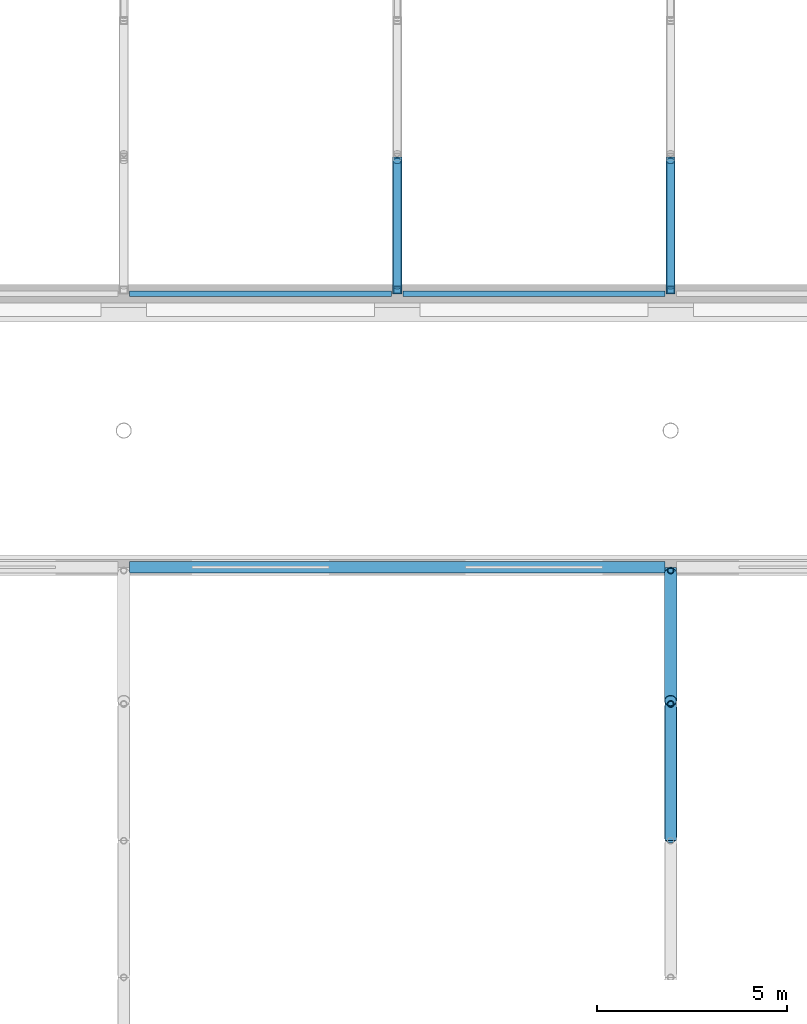
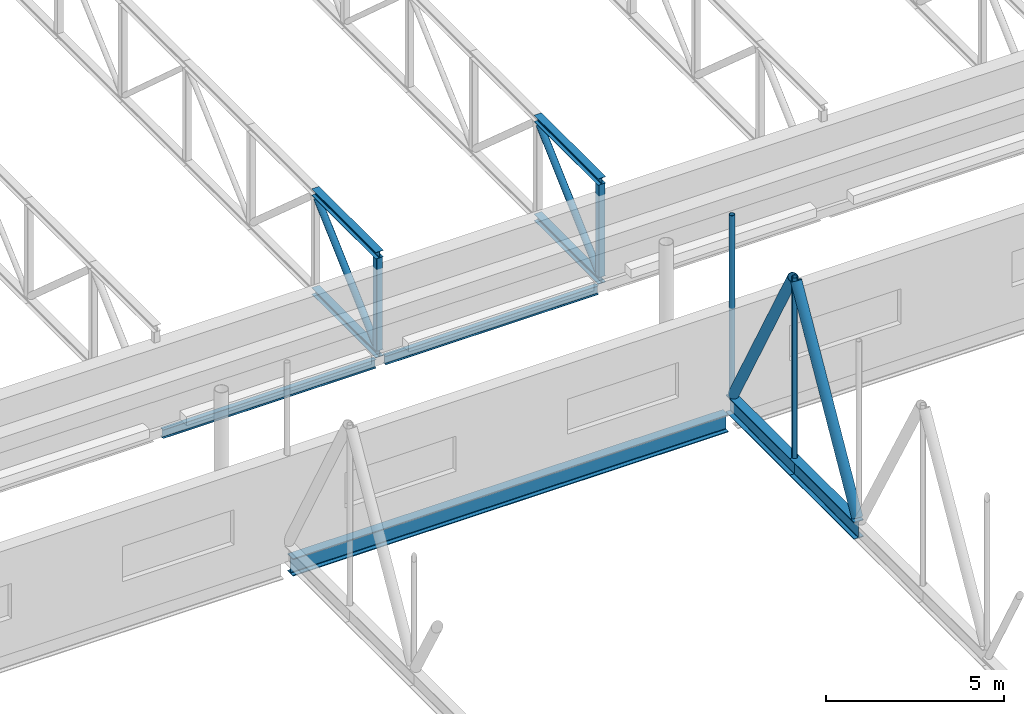
# One storey, part 71 of 142: 14 members, 3 beams.
"""IFC4 building model written with IfcOpenShell, lengths in metres."""

from ifc_helpers import new_model, si_unit, direction, frame, origin, origin_2d, place, context, subcontext, project, spatial, hollow_rectangle, hollow_circle, i_section, extrude, material, material_profile, profile_set, type_object, element, save


model = new_model("IFC4")

# Units and contexts
model_context = context("Model", 3, precision=1e-05, world=origin(), true_north=direction((0.0, 1.0)))
body_context = subcontext(model_context, "Body", "Model", "MODEL_VIEW")
ifc_project = project(units=[si_unit("LENGTHUNIT", "METRE"), si_unit("AREAUNIT", "SQUARE_METRE"), si_unit("VOLUMEUNIT", "CUBIC_METRE"), si_unit("PLANEANGLEUNIT", "RADIAN"), si_unit("MASSUNIT", "GRAM", prefix="KILO")], contexts=[model_context])

# Site, building, storey
site_placement = place(None, origin())
site = spatial("IfcSite", under=ifc_project, at=site_placement, CompositionType="ELEMENT")
building_placement = place(site_placement, origin())
building = spatial("IfcBuilding", under=site, at=building_placement, Name="Kupolbacken Congress Centre", CompositionType="ELEMENT")
storey_placement = place(building_placement, frame((0.0, 0.0, 14.39990234375)))
storey = spatial("IfcBuildingStorey", under=building, at=storey_placement, Name="L04", CompositionType="ELEMENT", Elevation=14.39990234375)

# Beams
ifc_material_1 = material(Name="Steel S355", Category="steel")
ifc_material_profile_1 = material_profile(ifc_material_1, i_section(OverallWidth=0.14990234375, OverallDepth=0.300048828125, WebThickness=0.007080078125, FlangeThickness=0.0107421875, FilletRadius=0.014892578125, at=origin_2d()), Name="IPE 300")
ifc_profile_set_1 = profile_set([ifc_material_profile_1], Name="Steel S355")
beam_type_1 = type_object("IfcBeamType", Name="B04 beam IPE 300", PredefinedType="BEAM", material=ifc_profile_set_1)
beam_1_placement = place(storey_placement, frame((165.75, 122.39990234375, -0.14990234375), z_axis=(1.0, 0.0, 0.0), x_axis=(0.0, 1.0, 0.0)))
element("IfcBeam", 1, at=beam_1_placement, inside=storey, type_object=beam_type_1, Name="Edge girder", PredefinedType="BEAM", context=body_context, shape_type="SweptSolid", body=[
    extrude(i_section(OverallWidth=0.14990234375, OverallDepth=0.300048828125, WebThickness=0.007080078125, FlangeThickness=0.0107421875, FilletRadius=0.014892578125, at=origin_2d()), origin(), (0.0, 0.0, 1.0), 6.89990234375),
])
beam_2_placement = place(storey_placement, frame((172.949951171875, 122.39990234375, -0.14990234375), z_axis=(1.0, 0.0, 0.0), x_axis=(0.0, 1.0, 0.0)))
element("IfcBeam", 2, at=beam_2_placement, inside=storey, type_object=beam_type_1, Name="Edge girder", PredefinedType="BEAM", context=body_context, shape_type="SweptSolid", body=[
    extrude(i_section(OverallWidth=0.14990234375, OverallDepth=0.300048828125, WebThickness=0.007080078125, FlangeThickness=0.0107421875, FilletRadius=0.014892578125, at=origin_2d()), origin(), (0.0, 0.0, 1.0), 6.900146484375),
])
ifc_material_2 = material(Name="Steel S355", Category="steel")
ifc_material_profile_2 = material_profile(ifc_material_2, i_section(OverallWidth=0.300048828125, OverallDepth=0.60009765625, WebThickness=0.015380859375, FlangeThickness=0.030029296875, FilletRadius=0.027099609375, at=origin_2d()), Name="HEB 600")
ifc_profile_set_2 = profile_set([ifc_material_profile_2], Name="Steel S355")
beam_type_2 = type_object("IfcBeamType", Name="B15 beam HEB 600", PredefinedType="BEAM", material=ifc_profile_set_2)
beam_3_placement = place(storey_placement, frame((165.75, 115.199951171875, -0.2998046875), z_axis=(1.0, 0.0, 0.0), x_axis=(0.0, 1.0, 0.0)))
element("IfcBeam", 3, at=beam_3_placement, inside=storey, type_object=beam_type_2, Name="Edge girder", PredefinedType="BEAM", context=body_context, shape_type="SweptSolid", body=[
    extrude(i_section(OverallWidth=0.300048828125, OverallDepth=0.60009765625, WebThickness=0.015380859375, FlangeThickness=0.030029296875, FilletRadius=0.027099609375, at=origin_2d()), origin(), (0.0, 0.0, 1.0), 14.10009765625),
])

# Members
ifc_material_3 = material(Name="Steel S355", Category="steel")
ifc_material_profile_3 = material_profile(ifc_material_3, i_section(OverallWidth=0.300048828125, OverallDepth=0.60009765625, WebThickness=0.015380859375, FlangeThickness=0.030029296875, FilletRadius=0.027099609375, at=origin_2d()), Name="HEB 600")
ifc_profile_set_3 = profile_set([ifc_material_profile_3], Name="Steel S355")
member_type_1 = type_object("IfcMemberType", Name="M02 transfer truss chord HEB 600", PredefinedType="CHORD", material=ifc_profile_set_3)
member_1_placement = place(storey_placement, frame((180.0, 108.0, 0.2900390625), z_axis=(0.0, 1.0, 0.0), x_axis=(-1.0, 0.0, 0.0)))
element("IfcMember", 4, at=member_1_placement, inside=storey, type_object=member_type_1, Name="HT/T7/BC19", PredefinedType="CHORD", context=body_context, shape_type="SweptSolid", body=[
    extrude(i_section(OverallWidth=0.300048828125, OverallDepth=0.60009765625, WebThickness=0.015380859375, FlangeThickness=0.030029296875, FilletRadius=0.027099609375, at=origin_2d()), origin(), (0.0, 0.0, 1.0), 3.60009765625),
])
member_2_placement = place(storey_placement, frame((180.0, 111.60009765625, 0.2900390625), z_axis=(0.0, 1.0, 0.0), x_axis=(-1.0, 0.0, 0.0)))
element("IfcMember", 5, at=member_2_placement, inside=storey, type_object=member_type_1, Name="HT/T7/BC20", PredefinedType="CHORD", context=body_context, shape_type="SweptSolid", body=[
    extrude(i_section(OverallWidth=0.300048828125, OverallDepth=0.60009765625, WebThickness=0.015380859375, FlangeThickness=0.030029296875, FilletRadius=0.027099609375, at=origin_2d()), origin(), (0.0, 0.0, 1.0), 3.599853515625),
])
ifc_material_4 = material(Name="Steel S355", Category="steel")
ifc_material_profile_4 = material_profile(ifc_material_4, hollow_circle(Radius=0.161865234375, WallThickness=0.012451171875, at=origin_2d()), Name="CHS 323.9 x 12.5")
ifc_profile_set_4 = profile_set([ifc_material_profile_4], Name="Steel S355")
member_type_2 = type_object("IfcMemberType", Name="M04 transfer truss web CHS 323.9 x 12.5", PredefinedType="BRACE", material=ifc_profile_set_4)
member_3_placement = place(storey_placement, frame((180.0, 108.084228515625, 0.658935546875), z_axis=(0.0, 0.494455978115, 0.869202672399), x_axis=(-1.0, 0.0, 0.0)))
element("IfcMember", 6, at=member_3_placement, inside=storey, type_object=member_type_2, Name="HT/T7/D19", PredefinedType="BRACE", context=body_context, shape_type="SweptSolid", body=[
    extrude(hollow_circle(Radius=0.161865234375, WallThickness=0.012451171875, at=origin_2d()), origin(), (0.0, 0.0, 1.0), 6.940185546875),
])
member_4_placement = place(storey_placement, frame((180.0, 111.68408203125, 6.69287109375), z_axis=(0.0, 0.485036131954, -0.874494111301), x_axis=(-1.0, 0.0, 0.0)))
element("IfcMember", 7, at=member_4_placement, inside=storey, type_object=member_type_2, Name="HT/T7/D20", PredefinedType="BRACE", context=body_context, shape_type="SweptSolid", body=[
    extrude(hollow_circle(Radius=0.161865234375, WallThickness=0.012451171875, at=origin_2d()), origin(), (0.0, 0.0, 1.0), 6.90185546875),
])
ifc_material_5 = material(Name="Steel S355", Category="steel")
ifc_material_profile_5 = material_profile(ifc_material_5, hollow_circle(Radius=0.109619140625, WallThickness=0.010009765625, at=origin_2d()), Name="CHS 219.1 x 10")
ifc_profile_set_5 = profile_set([ifc_material_profile_5], Name="Steel S355")
member_type_3 = type_object("IfcMemberType", Name="M05 transfer truss web CHS 219.1 x 10", PredefinedType="BRACE", material=ifc_profile_set_5)
for number, where, z_axis, x_axis, name in (
    (8, (172.800048828125, 122.60009765625, 0.289306640625), (0.0, 0.738640464451, 0.67409959522), (-1.0, 0.0, 0.0), "BT/B4/D01"),
    (9, (180.0, 122.60009765625, 0.289306640625), (0.0, 0.738640464451, 0.67409959522), (-1.0, 0.0, 0.0), "BT/B5/D01"),
):
    element("IfcMember", number, at=place(storey_placement, frame(where, z_axis=z_axis, x_axis=x_axis)), inside=storey, type_object=member_type_3, Name=name, PredefinedType="BRACE", context=body_context, shape_type="SweptSolid", body=[
        extrude(hollow_circle(Radius=0.109619140625, WallThickness=0.010009765625, at=origin_2d()), origin(), (0.0, 0.0, 1.0), 4.46728515625),
    ])
ifc_material_6 = material(Name="Steel S355", Category="steel")
ifc_material_profile_6 = material_profile(ifc_material_6, i_section(OverallWidth=0.239990234375, OverallDepth=0.22998046875, WebThickness=0.007568359375, FlangeThickness=0.011962890625, FilletRadius=0.02099609375, at=origin_2d()), Name="HEA 240")
ifc_profile_set_6 = profile_set([ifc_material_profile_6], Name="Steel S355")
member_type_4 = type_object("IfcMemberType", Name="M07 transfer truss chord HEA 240", PredefinedType="CHORD", material=ifc_profile_set_6)
for number, where, z_axis, x_axis, name in (
    (10, (172.800048828125, 122.39990234375, 0.10498046875), (0.0, 1.0, 0.0), (-1.0, 0.0, 0.0), "BT/B4/BC01"),
    (11, (172.800048828125, 122.39990234375, 3.485107421875), (0.0, 1.0, 0.0), (-1.0, 0.0, 0.0), "BT/B4/TC01"),
    (12, (180.0, 122.39990234375, 0.10498046875), (0.0, 1.0, 0.0), (-1.0, 0.0, 0.0), "BT/B5/BC01"),
    (13, (180.0, 122.39990234375, 3.485107421875), (0.0, 1.0, 0.0), (-1.0, 0.0, 0.0), "BT/B5/TC01"),
):
    element("IfcMember", number, at=place(storey_placement, frame(where, z_axis=z_axis, x_axis=x_axis)), inside=storey, type_object=member_type_4, Name=name, PredefinedType="CHORD", context=body_context, shape_type="SweptSolid", body=[
        extrude(i_section(OverallWidth=0.239990234375, OverallDepth=0.22998046875, WebThickness=0.007568359375, FlangeThickness=0.011962890625, FilletRadius=0.02099609375, at=origin_2d()), origin(), (0.0, 0.0, 1.0), 3.60009765625),
    ])
ifc_material_7 = material(Name="Steel S355", Category="steel")
ifc_material_profile_7 = material_profile(ifc_material_7, hollow_rectangle(XDim=0.199951171875, YDim=0.199951171875, WallThickness=0.010009765625, InnerFilletRadius=0.010009765625, OuterFilletRadius=0.014892578125, at=origin_2d()), Name="SHS 200 x 200 x 10")
ifc_profile_set_7 = profile_set([ifc_material_profile_7], Name="Steel S355")
member_type_5 = type_object("IfcMemberType", Name="M10 transfer truss post SHS 200 x 200 x 10", PredefinedType="STRUT", material=ifc_profile_set_7)
for number, where, z_axis, x_axis, name in (
    (14, (172.800048828125, 122.5, 0.210205078125), (0.0, 0.0, 1.0), (0.0, 1.0, 0.0), "BT/B4/P00"),
    (15, (180.0, 122.5, 0.210205078125), (0.0, 0.0, 1.0), (0.0, 1.0, 0.0), "BT/B5/P00"),
):
    element("IfcMember", number, at=place(storey_placement, frame(where, z_axis=z_axis, x_axis=x_axis)), inside=storey, type_object=member_type_5, Name=name, PredefinedType="STRUT", context=body_context, shape_type="SweptSolid", body=[
        extrude(hollow_rectangle(XDim=0.199951171875, YDim=0.199951171875, WallThickness=0.010009765625, InnerFilletRadius=0.010009765625, OuterFilletRadius=0.014892578125, at=origin_2d()), origin(), (0.0, 0.0, 1.0), 3.169921875),
    ])
ifc_material_8 = material(Name="Steel S355", Category="steel")
ifc_material_profile_8 = material_profile(ifc_material_8, hollow_circle(Radius=0.084228515625, WallThickness=0.008056640625, at=origin_2d()), Name="CHS 168.3 x 8")
ifc_profile_set_8 = profile_set([ifc_material_profile_8], Name="Steel S355")
member_type_6 = type_object("IfcMemberType", Name="M20 transfer truss post CHS 168.3 x 8", PredefinedType="STRUT", material=ifc_profile_set_8)
for number, where, z_axis, x_axis, name in (
    (16, (180.0, 111.60009765625, 0.580078125), (0.0, 0.0, 1.0), (0.0, 1.0, 0.0), "HT/T7/P19"),
    (17, (180.0, 115.115966796875, 0.580078125), (0.0, 0.0, 1.0), (0.0, 1.0, 0.0), "HT/T7/P20"),
):
    element("IfcMember", number, at=place(storey_placement, frame(where, z_axis=z_axis, x_axis=x_axis)), inside=storey, type_object=member_type_6, Name=name, PredefinedType="STRUT", context=body_context, shape_type="SweptSolid", body=[
        extrude(hollow_circle(Radius=0.084228515625, WallThickness=0.008056640625, at=origin_2d()), origin(), (0.0, 0.0, 1.0), 6.18994140625),
    ])

save(model, "model.ifc")
